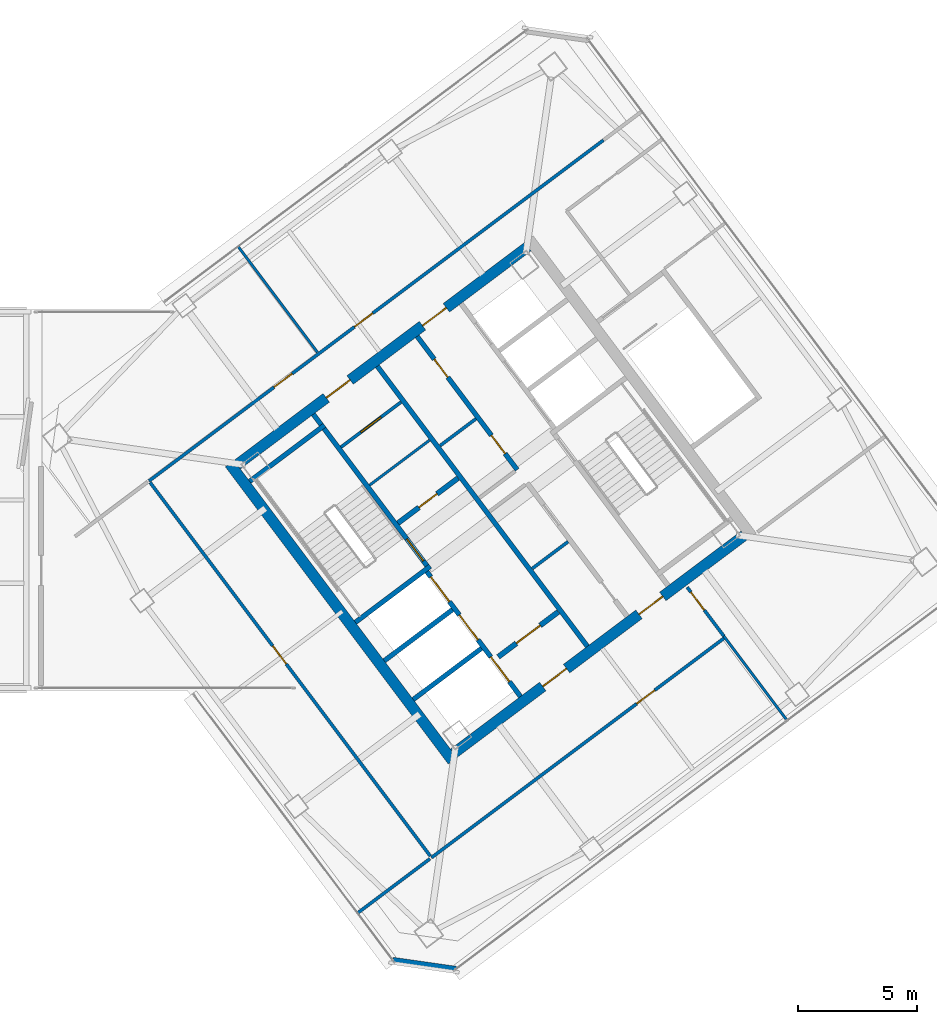
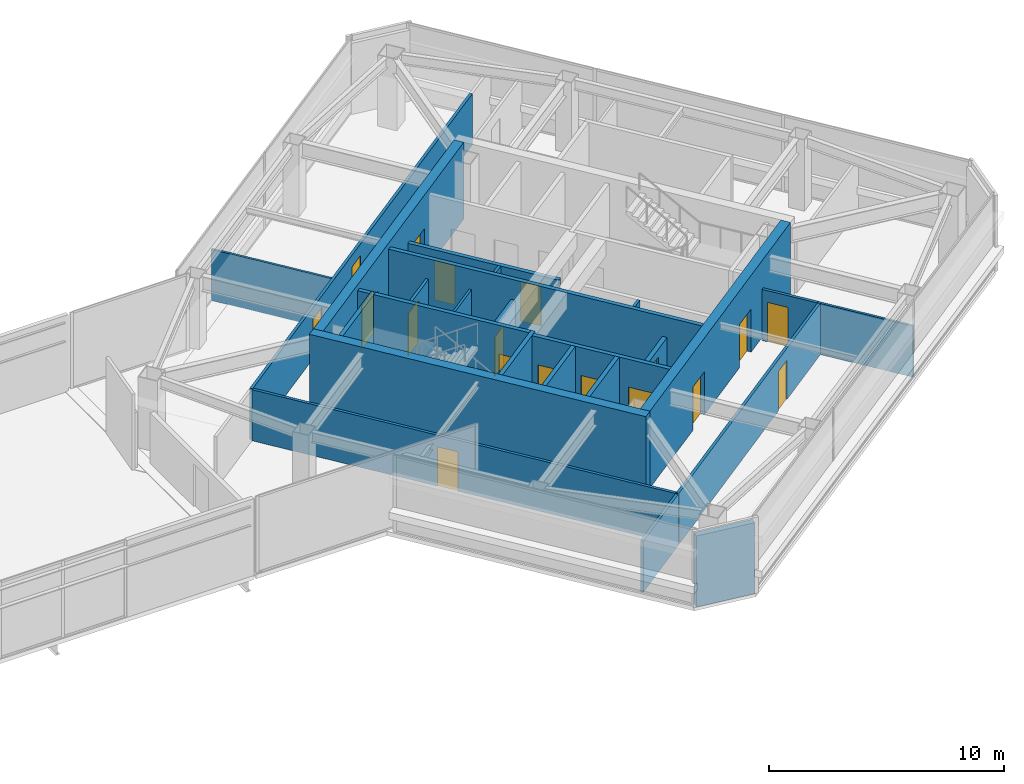
# One storey, part 43 of 51: 25 walls, 18 doors, 18 openings.
"""IFC4 building model written with IfcOpenShell, lengths in metres."""

from ifc_helpers import new_model, si_unit, direction, frame, frame_2d, origin, place, context, subcontext, project, spatial, rectangle, extrude, material, layer, layer_set, type_object, element, fill, save


model = new_model("IFC4")

# Units and contexts
model_context = context("Model", 3, precision=1e-05, world=origin(), true_north=direction((0.0, 1.0)))
body_context = subcontext(model_context, "Body", "Model", "MODEL_VIEW")
ifc_project = project(units=[si_unit("LENGTHUNIT", "METRE"), si_unit("AREAUNIT", "SQUARE_METRE"), si_unit("VOLUMEUNIT", "CUBIC_METRE"), si_unit("PLANEANGLEUNIT", "RADIAN"), si_unit("MASSUNIT", "GRAM", prefix="KILO")], contexts=[model_context])

# Site, building, storey
site_placement = place(None, origin())
site = spatial("IfcSite", under=ifc_project, at=site_placement, CompositionType="ELEMENT")
building_placement = place(site_placement, origin())
building = spatial("IfcBuilding", under=site, at=building_placement, Name="Tashvorn Skyway Center", CompositionType="ELEMENT")
storey_placement = place(building_placement, frame((0.0, 0.0, 259.39990234375)))
storey = spatial("IfcBuildingStorey", under=building, at=storey_placement, Name="L70", CompositionType="ELEMENT", Elevation=259.39990234375)

# Wall
ifc_material_1 = material(Name="Concrete C50/60", Category="concrete")
ifc_layer_1 = layer(ifc_material_1, 0.449951171875)
ifc_layer_set_1 = layer_set([ifc_layer_1], Name="Concrete C50/60")
wall_type_1 = type_object("IfcWallType", Name="WALL-CORE-450", PredefinedType="SHEAR", material=ifc_layer_set_1)
wall_1_placement = place(storey_placement, frame((112.39599609375, 21.047119140625, 0.0), z_axis=(0.0, 0.0, 1.0), x_axis=(-0.600005007985, 0.799996243986, 0.0)))
element("IfcWall", 1, at=wall_1_placement, inside=storey, type_object=wall_type_1, Name="Tower 2 L70 West Core Shear Wall", PredefinedType="SHEAR", context=body_context, shape_type="SweptSolid", body=[
    extrude(rectangle(XDim=15.60009765625, YDim=0.449951171875, at=frame_2d((7.800048828125, 0.0))), origin(), (0.0, 0.0, 1.0), 4.0),
])

# Wall, openings, doors
wall_2_placement = place(storey_placement, frame((124.64892578125, 30.51806640625, 0.0), z_axis=(0.0, 0.0, 1.0), x_axis=(-0.8, -0.6, 0.0)))
wall_2 = element("IfcWall", 2, at=wall_2_placement, inside=storey, type_object=wall_type_1, Name="Tower 2 L70 South Core Shear Wall", PredefinedType="SHEAR", context=body_context, shape_type="SweptSolid", body=[
    extrude(rectangle(XDim=15.260009765625, YDim=0.449951171875, at=frame_2d((7.6298828125, 0.0))), origin(), (0.0, 0.0, 1.0), 4.0),
])
opening_1_placement = place(wall_2_placement, frame((9.330078125, 0.0, 0.0)))
opening_1 = element("IfcOpeningElement", 3, at=opening_1_placement, cuts=wall_2, Name="Opening D-FFL-1250", PredefinedType="OPENING", context=body_context, shape_type="SweptSolid", body=[
    extrude(rectangle(XDim=1.25, YDim=2.25, at=frame_2d((0.625, 1.125))), frame((0.0, 0.23486328125, 0.0), z_axis=(0.0, -1.0, 0.0), x_axis=(1.0, 0.0, 0.0)), (0.0, 0.0, 1.0), 0.469970703125),
])
opening_2_placement = place(wall_2_placement, frame((4.280029296875, 0.0, 0.0)))
opening_2 = element("IfcOpeningElement", 4, at=opening_2_placement, cuts=wall_2, Name="Opening D-FFL-1250", PredefinedType="OPENING", context=body_context, shape_type="SweptSolid", body=[
    extrude(rectangle(XDim=1.25, YDim=2.25, at=frame_2d((0.625, 1.125))), frame((0.0, 0.23486328125, 0.0), z_axis=(0.0, -1.0, 0.0), x_axis=(1.0, 0.0, 0.0)), (0.0, 0.0, 1.0), 0.469970703125),
])
ifc_material_2 = material(Name="Hollow galvanized steel fire door assembly", Category="steel")
door_type_1 = type_object("IfcDoorType", Name="DOOR-FFL-1250", OperationType="NOTDEFINED", PredefinedType="DOOR", material=ifc_material_2)
door_1_placement = place(opening_1_placement, origin())
door_1 = element("IfcDoor", 5, at=door_1_placement, inside=storey, type_object=door_type_1, Name="Tower 2 L70 Core South Firefighting Exit Door", OperationType="SINGLE_SWING_LEFT", OverallHeight=2.25, OverallWidth=1.25, PredefinedType="DOOR", context=body_context, shape_type="SweptSolid", body=[
    extrude(rectangle(XDim=1.25, YDim=2.25, at=frame_2d((0.625, 1.125))), frame((0.0, 0.02490234375, 0.0), z_axis=(0.0, -1.0, 0.0), x_axis=(1.0, 0.0, 0.0)), (0.0, 0.0, 1.0), 0.050048828125),
])
fill(opening_1, door_1)
door_2_placement = place(opening_2_placement, origin())
door_2 = element("IfcDoor", 6, at=door_2_placement, inside=storey, type_object=door_type_1, Name="Tower 2 L70 Core South Lift Lobby Door", OperationType="SINGLE_SWING_RIGHT", OverallHeight=2.25, OverallWidth=1.25, PredefinedType="DOOR", context=body_context, shape_type="SweptSolid", body=[
    extrude(rectangle(XDim=1.25, YDim=2.25, at=frame_2d((0.625, 1.125))), frame((0.0, 0.02490234375, 0.0), z_axis=(0.0, -1.0, 0.0), x_axis=(1.0, 0.0, 0.0)), (0.0, 0.0, 1.0), 0.050048828125),
])
fill(opening_2, door_2)

wall_3_placement = place(storey_placement, frame((103.35107421875, 33.48193359375, 0.0), z_axis=(0.0, 0.0, 1.0), x_axis=(0.8, 0.6, 0.0)))
wall_3 = element("IfcWall", 7, at=wall_3_placement, inside=storey, type_object=wall_type_1, Name="Tower 2 L70 North Core Shear Wall", PredefinedType="SHEAR", context=body_context, shape_type="SweptSolid", body=[
    extrude(rectangle(XDim=15.260009765625, YDim=0.449951171875, at=frame_2d((7.6298828125, 0.0))), origin(), (0.0, 0.0, 1.0), 4.0),
])
opening_3_placement = place(wall_3_placement, frame((4.679931640625, 0.0, 0.0)))
opening_3 = element("IfcOpeningElement", 8, at=opening_3_placement, cuts=wall_3, Name="Opening D-FFL-1250", PredefinedType="OPENING", context=body_context, shape_type="SweptSolid", body=[
    extrude(rectangle(XDim=1.25, YDim=2.25, at=frame_2d((0.625, 1.125))), frame((0.0, 0.23486328125, 0.0), z_axis=(0.0, -1.0, 0.0), x_axis=(1.0, 0.0, 0.0)), (0.0, 0.0, 1.0), 0.469970703125),
])
opening_4_placement = place(wall_3_placement, frame((9.72998046875, 0.0, 0.0)))
opening_4 = element("IfcOpeningElement", 9, at=opening_4_placement, cuts=wall_3, Name="Opening D-FFL-1250", PredefinedType="OPENING", context=body_context, shape_type="SweptSolid", body=[
    extrude(rectangle(XDim=1.25, YDim=2.25, at=frame_2d((0.625, 1.125))), frame((0.0, 0.23486328125, 0.0), z_axis=(0.0, -1.0, 0.0), x_axis=(1.0, 0.0, 0.0)), (0.0, 0.0, 1.0), 0.469970703125),
])
door_3_placement = place(opening_3_placement, origin())
door_3 = element("IfcDoor", 10, at=door_3_placement, inside=storey, type_object=door_type_1, Name="Tower 2 L70 Core North Service Lobby Door", OperationType="SINGLE_SWING_LEFT", OverallHeight=2.25, OverallWidth=1.25, PredefinedType="DOOR", context=body_context, shape_type="SweptSolid", body=[
    extrude(rectangle(XDim=1.25, YDim=2.25, at=frame_2d((0.625, 1.125))), frame((0.0, 0.02490234375, 0.0), z_axis=(0.0, -1.0, 0.0), x_axis=(1.0, 0.0, 0.0)), (0.0, 0.0, 1.0), 0.050048828125),
])
fill(opening_3, door_3)
door_4_placement = place(opening_4_placement, origin())
door_4 = element("IfcDoor", 11, at=door_4_placement, inside=storey, type_object=door_type_1, Name="Tower 2 L70 Core North Lift Lobby Door", OperationType="SINGLE_SWING_RIGHT", OverallHeight=2.25, OverallWidth=1.25, PredefinedType="DOOR", context=body_context, shape_type="SweptSolid", body=[
    extrude(rectangle(XDim=1.25, YDim=2.25, at=frame_2d((0.625, 1.125))), frame((0.0, 0.02490234375, 0.0), z_axis=(0.0, -1.0, 0.0), x_axis=(1.0, 0.0, 0.0)), (0.0, 0.0, 1.0), 0.050048828125),
])
fill(opening_4, door_4)

# Wall
ifc_material_3 = material(Name="Precast concrete C40/50", Category="concrete")
ifc_layer_2 = layer(ifc_material_3, 0.280029296875)
ifc_layer_set_2 = layer_set([ifc_layer_2], Name="Precast concrete C40/50")
wall_type_2 = type_object("IfcWallType", Name="WALL-EXT-280", PredefinedType="SOLIDWALL", material=ifc_layer_set_2)
wall_4_placement = place(storey_placement, frame((112.5400390625, 12.280029296875, 0.0), z_axis=(0.0, 0.0, 1.0), x_axis=(-0.989956760759, 0.141370477216, 0.0)))
element("IfcWall", 12, at=wall_4_placement, inside=storey, type_object=wall_type_2, Name="Tower 2 L70 SW Precast Chamfer Wall", PredefinedType="SOLIDWALL", context=body_context, shape_type="SweptSolid", body=[
    extrude(rectangle(XDim=2.687255859375, YDim=0.280029296875, at=frame_2d((1.34375, 0.0))), origin(), (0.0, 0.0, 1.0), 3.7001953125),
])

# Wall, opening, door
ifc_material_4 = material(Name="Concrete C40/50", Category="concrete")
ifc_layer_3 = layer(ifc_material_4, 0.219970703125)
ifc_layer_set_3 = layer_set([ifc_layer_3], Name="Concrete C40/50")
wall_type_3 = type_object("IfcWallType", Name="WALL-FFL-220", PredefinedType="SOLIDWALL", material=ifc_layer_set_3)
wall_5_placement = place(storey_placement, frame((110.10400390625, 31.028076171875, 0.0), z_axis=(0.0, 0.0, 1.0), x_axis=(0.800018601094, 0.59997519774, 0.0)))
wall_5 = element("IfcWall", 13, at=wall_5_placement, inside=storey, type_object=wall_type_3, Name="Tower 2 L70 Firefighting Lobby North Wall", PredefinedType="SOLIDWALL", context=body_context, shape_type="SweptSolid", body=[
    extrude(rectangle(XDim=3.14990234375, YDim=0.219970703125, at=frame_2d((1.574951171875, 0.0))), origin(), (0.0, 0.0, 1.0), 2.6591796875),
])
opening_5_placement = place(wall_5_placement, frame((1.10009765625, 0.0, 0.0)))
opening_5 = element("IfcOpeningElement", 14, at=opening_5_placement, cuts=wall_5, Name="Opening D-RT-950", PredefinedType="OPENING", context=body_context, shape_type="SweptSolid", body=[
    extrude(rectangle(XDim=0.949951171875, YDim=2.050048828125, at=frame_2d((0.47509765625, 1.02490234375))), frame((0.0, 0.119873046875, 0.0), z_axis=(0.0, -1.0, 0.0), x_axis=(1.0, 0.0, 0.0)), (0.0, 0.0, 1.0), 0.239990234375),
])
door_type_2 = type_object("IfcDoorType", Name="DOOR-RATED-950", OperationType="NOTDEFINED", PredefinedType="DOOR", material=ifc_material_2)
door_5_placement = place(opening_5_placement, origin())
door_5 = element("IfcDoor", 15, at=door_5_placement, inside=storey, type_object=door_type_2, Name="Tower 2 L70 Core Linen Store Door", OperationType="SINGLE_SWING_LEFT", OverallHeight=2.050048828125, OverallWidth=0.949951171875, PredefinedType="DOOR", context=body_context, shape_type="SweptSolid", body=[
    extrude(rectangle(XDim=0.949951171875, YDim=2.050048828125, at=frame_2d((0.47509765625, 1.02490234375))), frame((0.0, 0.02490234375, 0.0), z_axis=(0.0, -1.0, 0.0), x_axis=(1.0, 0.0, 0.0)), (0.0, 0.0, 1.0), 0.050048828125),
])
fill(opening_5, door_5)

wall_6_placement = place(storey_placement, frame((114.31591796875, 25.412109375, 0.0), z_axis=(0.0, 0.0, 1.0), x_axis=(0.800018601094, 0.59997519774, 0.0)))
wall_6 = element("IfcWall", 16, at=wall_6_placement, inside=storey, type_object=wall_type_3, Name="Tower 2 L70 Firefighting Lobby South Wall", PredefinedType="SOLIDWALL", context=body_context, shape_type="SweptSolid", body=[
    extrude(rectangle(XDim=3.14990234375, YDim=0.219970703125, at=frame_2d((1.574951171875, 0.0))), origin(), (0.0, 0.0, 1.0), 2.6591796875),
])
opening_6_placement = place(wall_6_placement, frame((0.949951171875, 0.0, 0.0)))
opening_6 = element("IfcOpeningElement", 17, at=opening_6_placement, cuts=wall_6, Name="Opening D-FFL-1250", PredefinedType="OPENING", context=body_context, shape_type="SweptSolid", body=[
    extrude(rectangle(XDim=1.25, YDim=2.25, at=frame_2d((0.625, 1.125))), frame((0.0, 0.119873046875, 0.0), z_axis=(0.0, -1.0, 0.0), x_axis=(1.0, 0.0, 0.0)), (0.0, 0.0, 1.0), 0.239990234375),
])
door_6_placement = place(opening_6_placement, origin())
door_6 = element("IfcDoor", 18, at=door_6_placement, inside=storey, type_object=door_type_1, Name="Tower 2 L70 Firefighting Lobby Egress Door", OperationType="SINGLE_SWING_LEFT", OverallHeight=2.25, OverallWidth=1.25, PredefinedType="DOOR", context=body_context, shape_type="SweptSolid", body=[
    extrude(rectangle(XDim=1.25, YDim=2.25, at=frame_2d((0.625, 1.125))), frame((0.0, 0.02490234375, 0.0), z_axis=(0.0, -1.0, 0.0), x_axis=(1.0, 0.0, 0.0)), (0.0, 0.0, 1.0), 0.050048828125),
])
fill(opening_6, door_6)

# Walls
ifc_material_5 = material(Name="Gypsum board on cold-formed steel stud framing", Category="steel")
ifc_layer_4 = layer(ifc_material_5, 0.110107421875)
ifc_layer_set_4 = layer_set([ifc_layer_4], Name="Gypsum board on cold-formed steel stud framing")
wall_type_4 = type_object("IfcWallType", Name="WALL-PART-110", PredefinedType="PARTITIONING", material=ifc_layer_set_4)
wall_7_placement = place(storey_placement, frame((106.721923828125, 38.2041015625, 0.0), z_axis=(0.0, 0.0, 1.0), x_axis=(-0.599985922959, 0.800010557587, 0.0)))
element("IfcWall", 19, at=wall_7_placement, inside=storey, type_object=wall_type_4, Name="Tower 2 L70 North Suite Partition 1", PredefinedType="PARTITIONING", context=body_context, shape_type="SweptSolid", body=[
    extrude(rectangle(XDim=5.5498046875, YDim=0.110107421875, at=frame_2d((2.77490234375, 0.0))), origin(), (0.0, 0.0, 1.0), 2.6591796875),
])
wall_8_placement = place(storey_placement, frame((126.447998046875, 22.736083984375, 0.0), z_axis=(0.0, 0.0, 1.0), x_axis=(-0.600008797747, 0.799993401614, 0.0)))
element("IfcWall", 20, at=wall_8_placement, inside=storey, type_object=wall_type_4, Name="Tower 2 L70 South-East Suite Wall", PredefinedType="PARTITIONING", context=body_context, shape_type="SweptSolid", body=[
    extrude(rectangle(XDim=4.43994140625, YDim=0.110107421875, at=frame_2d((2.219970703125, 0.0))), origin(), (0.0, 0.0, 1.0), 2.6591796875),
])

# Wall, openings, doors
ifc_layer_5 = layer(ifc_material_5, 0.135009765625)
ifc_layer_set_5 = layer_set([ifc_layer_5], Name="Gypsum board on cold-formed steel stud framing")
wall_type_5 = type_object("IfcWallType", Name="WALL-PART-135", PredefinedType="PARTITIONING", material=ifc_layer_set_5)
wall_9_placement = place(storey_placement, frame((99.64990234375, 32.800048828125, 0.0), z_axis=(0.0, 0.0, 1.0), x_axis=(0.8, 0.6, 0.0)))
wall_9 = element("IfcWall", 21, at=wall_9_placement, inside=storey, type_object=wall_type_5, Name="Tower 2 L70 North Suite Wall", PredefinedType="PARTITIONING", context=body_context, shape_type="SweptSolid", body=[
    extrude(rectangle(XDim=23.85009765625, YDim=0.135009765625, at=frame_2d((11.925048828125, 0.0))), origin(), (0.0, 0.0, 1.0), 2.6591796875),
])
opening_7_placement = place(wall_9_placement, frame((6.567138671875, 0.0, 0.0)))
opening_7 = element("IfcOpeningElement", 22, at=opening_7_placement, cuts=wall_9, Name="Opening D-INT-950", PredefinedType="OPENING", context=body_context, shape_type="SweptSolid", body=[
    extrude(rectangle(XDim=0.949951171875, YDim=2.050048828125, at=frame_2d((0.47509765625, 1.02490234375))), frame((0.0, 0.077392578125, 0.0), z_axis=(0.0, -1.0, 0.0), x_axis=(1.0, 0.0, 0.0)), (0.0, 0.0, 1.0), 0.155029296875),
])
opening_8_placement = place(wall_9_placement, frame((10.787841796875, 0.0, 0.0)))
opening_8 = element("IfcOpeningElement", 23, at=opening_8_placement, cuts=wall_9, Name="Opening D-INT-950", PredefinedType="OPENING", context=body_context, shape_type="SweptSolid", body=[
    extrude(rectangle(XDim=0.949951171875, YDim=2.050048828125, at=frame_2d((0.47509765625, 1.02490234375))), frame((0.0, 0.077392578125, 0.0), z_axis=(0.0, -1.0, 0.0), x_axis=(1.0, 0.0, 0.0)), (0.0, 0.0, 1.0), 0.155029296875),
])
ifc_material_6 = material(Name="Solid-core architectural oak veneer door")
door_type_3 = type_object("IfcDoorType", Name="DOOR-INT-950", OperationType="NOTDEFINED", PredefinedType="DOOR", material=ifc_material_6)
door_7_placement = place(opening_7_placement, origin())
door_7 = element("IfcDoor", 24, at=door_7_placement, inside=storey, type_object=door_type_3, Name="Tower 2 L70 Conference Room Door", OperationType="SINGLE_SWING_RIGHT", OverallHeight=2.050048828125, OverallWidth=0.949951171875, PredefinedType="DOOR", context=body_context, shape_type="SweptSolid", body=[
    extrude(rectangle(XDim=0.949951171875, YDim=2.050048828125, at=frame_2d((0.47509765625, 1.02490234375))), frame((0.0, 0.02490234375, 0.0), z_axis=(0.0, -1.0, 0.0), x_axis=(1.0, 0.0, 0.0)), (0.0, 0.0, 1.0), 0.050048828125),
])
fill(opening_7, door_7)
door_8_placement = place(opening_8_placement, origin())
door_8 = element("IfcDoor", 25, at=door_8_placement, inside=storey, type_object=door_type_3, Name="Tower 2 L70 Conference Room Door", OperationType="SINGLE_SWING_LEFT", OverallHeight=2.050048828125, OverallWidth=0.949951171875, PredefinedType="DOOR", context=body_context, shape_type="SweptSolid", body=[
    extrude(rectangle(XDim=0.949951171875, YDim=2.050048828125, at=frame_2d((0.47509765625, 1.02490234375))), frame((0.0, 0.02490234375, 0.0), z_axis=(0.0, -1.0, 0.0), x_axis=(1.0, 0.0, 0.0)), (0.0, 0.0, 1.0), 0.050048828125),
])
fill(opening_8, door_8)

# Wall, opening, door
wall_10_placement = place(storey_placement, frame((123.83203125, 26.22412109375, 0.0), z_axis=(0.0, 0.0, 1.0), x_axis=(-0.799994292853, -0.600007609454, 0.0)))
wall_10 = element("IfcWall", 26, at=wall_10_placement, inside=storey, type_object=wall_type_5, Name="Tower 2 L70 South Suite Wall", PredefinedType="PARTITIONING", context=body_context, shape_type="SweptSolid", body=[
    extrude(rectangle(XDim=15.400146484375, YDim=0.135009765625, at=frame_2d((7.7001953125, 0.0))), origin(), (0.0, 0.0, 1.0), 2.6591796875),
])
opening_9_placement = place(wall_10_placement, frame((3.67578125, 0.0, 0.0)))
opening_9 = element("IfcOpeningElement", 27, at=opening_9_placement, cuts=wall_10, Name="Opening D-INT-950", PredefinedType="OPENING", context=body_context, shape_type="SweptSolid", body=[
    extrude(rectangle(XDim=0.949951171875, YDim=2.050048828125, at=frame_2d((0.47509765625, 1.02490234375))), frame((0.0, 0.077392578125, 0.0), z_axis=(0.0, -1.0, 0.0), x_axis=(1.0, 0.0, 0.0)), (0.0, 0.0, 1.0), 0.155029296875),
])
door_9_placement = place(opening_9_placement, origin())
door_9 = element("IfcDoor", 28, at=door_9_placement, inside=storey, type_object=door_type_3, Name="Tower 2 L70 Conference Room Door", OperationType="SINGLE_SWING_RIGHT", OverallHeight=2.050048828125, OverallWidth=0.949951171875, PredefinedType="DOOR", context=body_context, shape_type="SweptSolid", body=[
    extrude(rectangle(XDim=0.949951171875, YDim=2.050048828125, at=frame_2d((0.47509765625, 1.02490234375))), frame((0.0, 0.02490234375, 0.0), z_axis=(0.0, -1.0, 0.0), x_axis=(1.0, 0.0, 0.0)), (0.0, 0.0, 1.0), 0.050048828125),
])
fill(opening_9, door_9)

wall_11_placement = place(storey_placement, frame((122.248046875, 28.3359375, 0.0), z_axis=(0.0, 0.0, 1.0), x_axis=(0.6, -0.8, 0.0)))
wall_11 = element("IfcWall", 29, at=wall_11_placement, inside=storey, type_object=wall_type_5, Name="Tower 2 L70 South Gallery End Wall", PredefinedType="PARTITIONING", context=body_context, shape_type="SweptSolid", body=[
    extrude(rectangle(XDim=2.559814453125, YDim=0.135009765625, at=frame_2d((1.27978515625, 0.0))), origin(), (0.0, 0.0, 1.0), 2.6591796875),
])
opening_10_placement = place(wall_11_placement, frame((0.25, 0.0, 0.0)))
opening_10 = element("IfcOpeningElement", 30, at=opening_10_placement, cuts=wall_11, Name="Opening D-INT-950", PredefinedType="OPENING", context=body_context, shape_type="SweptSolid", body=[
    extrude(rectangle(XDim=0.949951171875, YDim=2.050048828125, at=frame_2d((0.47509765625, 1.02490234375))), frame((0.0, 0.077392578125, 0.0), z_axis=(0.0, -1.0, 0.0), x_axis=(1.0, 0.0, 0.0)), (0.0, 0.0, 1.0), 0.155029296875),
])
door_10_placement = place(opening_10_placement, origin())
door_10 = element("IfcDoor", 31, at=door_10_placement, inside=storey, type_object=door_type_3, Name="Tower 2 L70 Gallery Showroom Door", OperationType="SINGLE_SWING_LEFT", OverallHeight=2.050048828125, OverallWidth=0.949951171875, PredefinedType="DOOR", context=body_context, shape_type="SweptSolid", body=[
    extrude(rectangle(XDim=0.949951171875, YDim=2.050048828125, at=frame_2d((0.47509765625, 1.02490234375))), frame((0.0, 0.02490234375, 0.0), z_axis=(0.0, -1.0, 0.0), x_axis=(1.0, 0.0, 0.0)), (0.0, 0.0, 1.0), 0.050048828125),
])
fill(opening_10, door_10)

wall_12_placement = place(storey_placement, frame((111.464111328125, 17.048095703125, 0.0), z_axis=(0.0, 0.0, 1.0), x_axis=(-0.600003983917, 0.799997012046, 0.0)))
wall_12 = element("IfcWall", 32, at=wall_12_placement, inside=storey, type_object=wall_type_5, Name="Tower 2 L70 West Inner Suite Wall", PredefinedType="PARTITIONING", context=body_context, shape_type="SweptSolid", body=[
    extrude(rectangle(XDim=19.610107421875, YDim=0.135009765625, at=frame_2d((9.80517578125, 0.0))), origin(), (0.0, 0.0, 1.0), 2.6591796875),
])
opening_11_placement = place(wall_12_placement, frame((10.08251953125, 0.0, 0.0)))
opening_11 = element("IfcOpeningElement", 33, at=opening_11_placement, cuts=wall_12, Name="Opening D-INT-950", PredefinedType="OPENING", context=body_context, shape_type="SweptSolid", body=[
    extrude(rectangle(XDim=0.949951171875, YDim=2.050048828125, at=frame_2d((0.47509765625, 1.02490234375))), frame((0.0, 0.077392578125, 0.0), z_axis=(0.0, -1.0, 0.0), x_axis=(1.0, 0.0, 0.0)), (0.0, 0.0, 1.0), 0.155029296875),
])
door_11_placement = place(opening_11_placement, origin())
door_11 = element("IfcDoor", 34, at=door_11_placement, inside=storey, type_object=door_type_3, Name="Tower 2 L70 Breakout Lounge Door", OperationType="SINGLE_SWING_RIGHT", OverallHeight=2.050048828125, OverallWidth=0.949951171875, PredefinedType="DOOR", context=body_context, shape_type="SweptSolid", body=[
    extrude(rectangle(XDim=0.949951171875, YDim=2.050048828125, at=frame_2d((0.47509765625, 1.02490234375))), frame((0.0, 0.02490234375, 0.0), z_axis=(0.0, -1.0, 0.0), x_axis=(1.0, 0.0, 0.0)), (0.0, 0.0, 1.0), 0.050048828125),
])
fill(opening_11, door_11)

# Walls
wall_13_placement = place(storey_placement, frame((108.407958984375, 14.656005859375, 0.0), z_axis=(0.0, 0.0, 1.0), x_axis=(0.8, 0.6, 0.0)))
element("IfcWall", 35, at=wall_13_placement, inside=storey, type_object=wall_type_5, Name="Tower 2 L70 West Suite South Wall", PredefinedType="PARTITIONING", context=body_context, shape_type="SweptSolid", body=[
    extrude(rectangle(XDim=3.800048828125, YDim=0.135009765625, at=frame_2d((1.89990234375, 0.0))), origin(), (0.0, 0.0, 1.0), 2.6591796875),
])
ifc_layer_6 = layer(ifc_material_5, 0.110107421875)
ifc_layer_set_6 = layer_set([ifc_layer_6], Name="Gypsum board on cold-formed steel stud framing")
wall_type_6 = type_object("IfcWallType", Name="WALL-RATED-110", PredefinedType="PARTITIONING", material=ifc_layer_set_6)
wall_14_placement = place(storey_placement, frame((108.909912109375, 32.6201171875, 0.0), z_axis=(0.0, 0.0, 1.0), x_axis=(0.800018601094, 0.59997519774, 0.0)))
element("IfcWall", 36, at=wall_14_placement, inside=storey, type_object=wall_type_6, Name="Tower 2 L70 Core Transverse Wall", PredefinedType="PARTITIONING", context=body_context, shape_type="SweptSolid", body=[
    extrude(rectangle(XDim=3.14990234375, YDim=0.110107421875, at=frame_2d((1.574951171875, 0.0))), origin(), (0.0, 0.0, 1.0), 2.6591796875),
])

# Wall, opening, door
ifc_layer_7 = layer(ifc_material_5, 0.135009765625)
ifc_layer_set_7 = layer_set([ifc_layer_7], Name="Gypsum board on cold-formed steel stud framing")
wall_type_7 = type_object("IfcWallType", Name="WALL-RATED-135", PredefinedType="PARTITIONING", material=ifc_layer_set_7)
wall_15_placement = place(storey_placement, frame((107.7099609375, 34.219970703125, 0.0), z_axis=(0.0, 0.0, 1.0), x_axis=(0.799981399002, 0.60002480053, 0.0)))
wall_15 = element("IfcWall", 37, at=wall_15_placement, inside=storey, type_object=wall_type_7, Name="Tower 2 L70 Core Service Lobby Wall", PredefinedType="PARTITIONING", context=body_context, shape_type="SweptSolid", body=[
    extrude(rectangle(XDim=3.150146484375, YDim=0.135009765625, at=frame_2d((1.5751953125, 0.0))), origin(), (0.0, 0.0, 1.0), 2.6591796875),
])
opening_12_placement = place(wall_15_placement, frame((1.050048828125, 0.0, 0.0)))
opening_12 = element("IfcOpeningElement", 38, at=opening_12_placement, cuts=wall_15, Name="Opening D-RT-1050", PredefinedType="OPENING", context=body_context, shape_type="SweptSolid", body=[
    extrude(rectangle(XDim=1.050048828125, YDim=2.199951171875, at=frame_2d((0.52490234375, 1.10009765625))), frame((0.0, 0.077392578125, 0.0), z_axis=(0.0, -1.0, 0.0), x_axis=(1.0, 0.0, 0.0)), (0.0, 0.0, 1.0), 0.155029296875),
])
door_type_4 = type_object("IfcDoorType", Name="DOOR-RATED-1050", OperationType="NOTDEFINED", PredefinedType="DOOR", material=ifc_material_2)
door_12_placement = place(opening_12_placement, origin())
door_12 = element("IfcDoor", 39, at=door_12_placement, inside=storey, type_object=door_type_4, Name="Tower 2 L70 Core Accessible WC Door", OperationType="SINGLE_SWING_RIGHT", OverallHeight=2.199951171875, OverallWidth=1.050048828125, PredefinedType="DOOR", context=body_context, shape_type="SweptSolid", body=[
    extrude(rectangle(XDim=1.050048828125, YDim=2.199951171875, at=frame_2d((0.52490234375, 1.10009765625))), frame((0.0, 0.02490234375, 0.0), z_axis=(0.0, -1.0, 0.0), x_axis=(1.0, 0.0, 0.0)), (0.0, 0.0, 1.0), 0.050048828125),
])
fill(opening_12, door_12)

# Walls
for number, where, z_axis, x_axis, name in (
    (40, (115.74609375, 29.1220703125, 0.0), (0.0, 0.0, 1.0), (0.8, 0.6, 0.0), "Tower 2 L70 Freed Core Partition"),
    (41, (111.8759765625, 34.281982421875, 0.0), (0.0, 0.0, 1.0), (0.8, 0.6, 0.0), "Tower 2 L70 Freed Mid-Rise Partition"),
):
    element("IfcWall", number, at=place(storey_placement, frame(where, z_axis=z_axis, x_axis=x_axis)), inside=storey, type_object=wall_type_7, Name=name, PredefinedType="PARTITIONING", context=body_context, shape_type="SweptSolid", body=[
        extrude(rectangle(XDim=1.8798828125, YDim=0.135009765625, at=frame_2d((0.93994140625, 0.0))), origin(), (0.0, 0.0, 1.0), 2.6591796875),
    ])
ifc_layer_8 = layer(ifc_material_4, 0.199951171875)
ifc_layer_set_8 = layer_set([ifc_layer_8], Name="Concrete C40/50")
wall_type_8 = type_object("IfcWallType", Name="WALL-SHAFT-200", PredefinedType="SOLIDWALL", material=ifc_layer_set_8)
for number, where, z_axis, x_axis, name in (
    (42, (110.74609375, 23.6220703125, 0.0), (0.0, 0.0, 1.0), (0.800008183455, 0.599989088572, 0.0), "Tower 2 L70 FSAE Shaft Divider"),
    (43, (109.528076171875, 25.24609375, 0.0), (0.0, 0.0, 1.0), (0.800008183455, 0.599989088572, 0.0), "Tower 2 L70 FSAE Shaft Divider"),
):
    element("IfcWall", number, at=place(storey_placement, frame(where, z_axis=z_axis, x_axis=x_axis)), inside=storey, type_object=wall_type_8, Name=name, PredefinedType="SOLIDWALL", context=body_context, shape_type="SweptSolid", body=[
        extrude(rectangle(XDim=3.580078125, YDim=0.199951171875, at=frame_2d((1.7900390625, 0.0))), origin(), (0.0, 0.0, 1.0), 3.7001953125),
    ])

# Wall, openings, doors
wall_16_placement = place(storey_placement, frame((115.110107421875, 33.27001953125, 0.0), z_axis=(0.0, 0.0, 1.0), x_axis=(-0.600011160345, 0.79999162962, 0.0)))
wall_16 = element("IfcWall", 44, at=wall_16_placement, inside=storey, type_object=wall_type_8, Name="Tower 2 L70 Mid-Rise Core Wall", PredefinedType="SOLIDWALL", context=body_context, shape_type="SweptSolid", body=[
    extrude(rectangle(XDim=7.000244140625, YDim=0.199951171875, at=frame_2d((3.5, 0.0))), origin(), (0.0, 0.0, 1.0), 2.6591796875),
])
opening_13_placement = place(wall_16_placement, frame((0.85009765625, 0.0, 0.0)))
opening_13 = element("IfcOpeningElement", 45, at=opening_13_placement, cuts=wall_16, Name="Opening D-RT-950", PredefinedType="OPENING", context=body_context, shape_type="SweptSolid", body=[
    extrude(rectangle(XDim=0.949951171875, YDim=2.050048828125, at=frame_2d((0.47509765625, 1.02490234375))), frame((0.0, 0.10986328125, 0.0), z_axis=(0.0, -1.0, 0.0), x_axis=(1.0, 0.0, 0.0)), (0.0, 0.0, 1.0), 0.219970703125),
])
opening_14_placement = place(wall_16_placement, frame((4.85009765625, 0.0, 0.0)))
opening_14 = element("IfcOpeningElement", 46, at=opening_14_placement, cuts=wall_16, Name="Opening D-RT-950", PredefinedType="OPENING", context=body_context, shape_type="SweptSolid", body=[
    extrude(rectangle(XDim=0.949951171875, YDim=2.050048828125, at=frame_2d((0.47509765625, 1.02490234375))), frame((0.0, 0.10986328125, 0.0), z_axis=(0.0, -1.0, 0.0), x_axis=(1.0, 0.0, 0.0)), (0.0, 0.0, 1.0), 0.219970703125),
])
door_13_placement = place(opening_13_placement, origin())
door_13 = element("IfcDoor", 47, at=door_13_placement, inside=storey, type_object=door_type_2, Name="Tower 2 L70 Core IT Room Door", OperationType="SINGLE_SWING_RIGHT", OverallHeight=2.050048828125, OverallWidth=0.949951171875, PredefinedType="DOOR", context=body_context, shape_type="SweptSolid", body=[
    extrude(rectangle(XDim=0.949951171875, YDim=2.050048828125, at=frame_2d((0.47509765625, 1.02490234375))), frame((0.0, 0.02490234375, 0.0), z_axis=(0.0, -1.0, 0.0), x_axis=(1.0, 0.0, 0.0)), (0.0, 0.0, 1.0), 0.050048828125),
])
fill(opening_13, door_13)
door_14_placement = place(opening_14_placement, origin())
door_14 = element("IfcDoor", 48, at=door_14_placement, inside=storey, type_object=door_type_2, Name="Tower 2 L70 Core Catering Pantry Door", OperationType="SINGLE_SWING_LEFT", OverallHeight=2.050048828125, OverallWidth=0.949951171875, PredefinedType="DOOR", context=body_context, shape_type="SweptSolid", body=[
    extrude(rectangle(XDim=0.949951171875, YDim=2.050048828125, at=frame_2d((0.47509765625, 1.02490234375))), frame((0.0, 0.02490234375, 0.0), z_axis=(0.0, -1.0, 0.0), x_axis=(1.0, 0.0, 0.0)), (0.0, 0.0, 1.0), 0.050048828125),
])
fill(opening_14, door_14)

# Wall, opening, door
ifc_layer_9 = layer(ifc_material_4, 0.199951171875)
ifc_layer_set_9 = layer_set([ifc_layer_9], Name="Concrete C40/50")
wall_type_9 = type_object("IfcWallType", Name="WALL-STSHF-200", PredefinedType="SHEAR", material=ifc_layer_set_9)
wall_17_placement = place(storey_placement, frame((111.43994140625, 29.080078125, 0.0), z_axis=(0.0, 0.0, 1.0), x_axis=(-0.59999041401, 0.800007189403, 0.0)))
wall_17 = element("IfcWall", 49, at=wall_17_placement, inside=storey, type_object=wall_type_9, Name="Tower 2 L70 Stair 1 Enclosure Wall", PredefinedType="SHEAR", context=body_context, shape_type="SweptSolid", body=[
    extrude(rectangle(XDim=8.14990234375, YDim=0.199951171875, at=frame_2d((4.074951171875, 0.0))), origin(), (0.0, 0.0, 1.0), 3.7001953125),
])
opening_15_placement = place(wall_17_placement, frame((0.449951171875, 0.0, 0.0)))
opening_15 = element("IfcOpeningElement", 50, at=opening_15_placement, cuts=wall_17, Name="Opening D-ST-1150", PredefinedType="OPENING", context=body_context, shape_type="SweptSolid", body=[
    extrude(rectangle(XDim=1.14990234375, YDim=2.199951171875, at=frame_2d((0.574951171875, 1.10009765625))), frame((0.0, 0.10986328125, 0.0), z_axis=(0.0, -1.0, 0.0), x_axis=(1.0, 0.0, 0.0)), (0.0, 0.0, 1.0), 0.219970703125),
])
door_type_5 = type_object("IfcDoorType", Name="DOOR-STAIR-1150", OperationType="NOTDEFINED", PredefinedType="DOOR", material=ifc_material_2)
door_15_placement = place(opening_15_placement, origin())
door_15 = element("IfcDoor", 51, at=door_15_placement, inside=storey, type_object=door_type_5, Name="Tower 2 L70 Exit Stair 1 Door", OperationType="SINGLE_SWING_RIGHT", OverallHeight=2.199951171875, OverallWidth=1.14990234375, PredefinedType="DOOR", context=body_context, shape_type="SweptSolid", body=[
    extrude(rectangle(XDim=1.14990234375, YDim=2.199951171875, at=frame_2d((0.574951171875, 1.10009765625))), frame((0.0, 0.02490234375, 0.0), z_axis=(0.0, -1.0, 0.0), x_axis=(1.0, 0.0, 0.0)), (0.0, 0.0, 1.0), 0.050048828125),
])
fill(opening_15, door_15)

# Walls
for number, where, z_axis, x_axis, name in (
    (52, (108.31591796875, 26.862060546875, 0.0), (0.0, 0.0, 1.0), (0.800014909178, 0.599980120581, 0.0), "Tower 2 L70 Stair 1 South Wall"),
    (53, (103.8759765625, 32.781982421875, 0.0), (0.0, 0.0, 1.0), (0.800014909178, 0.599980120581, 0.0), "Tower 2 L70 Stair 1 North Wall"),
):
    element("IfcWall", number, at=place(storey_placement, frame(where, z_axis=z_axis, x_axis=x_axis)), inside=storey, type_object=wall_type_9, Name=name, PredefinedType="SHEAR", context=body_context, shape_type="SweptSolid", body=[
        extrude(rectangle(XDim=3.929931640625, YDim=0.199951171875, at=frame_2d((1.96484375, 0.0))), origin(), (0.0, 0.0, 1.0), 3.7001953125),
    ])
wall_18_placement = place(storey_placement, frame((118.05810546875, 25.85595703125, 0.0), z_axis=(0.0, 0.0, 1.0), x_axis=(-0.600002657301, 0.799998007018, 0.0)))
element("IfcWall", 54, at=wall_18_placement, inside=storey, type_object=wall_type_9, Name="Tower 2 L70 Firefighting Lobby East Smoke Barrier", PredefinedType="SHEAR", context=body_context, shape_type="SweptSolid", body=[
    extrude(rectangle(XDim=14.699951171875, YDim=0.199951171875, at=frame_2d((7.35009765625, 0.0))), origin(), (0.0, 0.0, 1.0), 3.7001953125),
])

# Wall, openings, doors
wall_19_placement = place(storey_placement, frame((115.25, 23.75, 0.0), z_axis=(0.0, 0.0, 1.0), x_axis=(-0.599994036198, 0.800004472816, 0.0)))
wall_19 = element("IfcWall", 55, at=wall_19_placement, inside=storey, type_object=wall_type_9, Name="Tower 2 L70 FSAE and Goods Shaft Front Wall", PredefinedType="SHEAR", context=body_context, shape_type="SweptSolid", body=[
    extrude(rectangle(XDim=6.550048828125, YDim=0.199951171875, at=frame_2d((3.27490234375, 0.0))), origin(), (0.0, 0.0, 1.0), 3.7001953125),
])
opening_16_placement = place(wall_19_placement, frame((4.97509765625, 0.0, 0.0)))
opening_16 = element("IfcOpeningElement", 56, at=opening_16_placement, cuts=wall_19, Name="Opening LD-FF-T2-1-L70", PredefinedType="OPENING", context=body_context, shape_type="SweptSolid", body=[
    extrude(rectangle(XDim=1.300048828125, YDim=2.25, at=frame_2d((0.64990234375, 1.125))), frame((0.0, 0.10986328125, 0.0), z_axis=(0.0, -1.0, 0.0), x_axis=(1.0, 0.0, 0.0)), (0.0, 0.0, 1.0), 0.219970703125),
])
opening_17_placement = place(wall_19_placement, frame((2.97509765625, 0.0, 0.0)))
opening_17 = element("IfcOpeningElement", 57, at=opening_17_placement, cuts=wall_19, Name="Opening LD-FF-T2-2-L70", PredefinedType="OPENING", context=body_context, shape_type="SweptSolid", body=[
    extrude(rectangle(XDim=1.300048828125, YDim=2.25, at=frame_2d((0.64990234375, 1.125))), frame((0.0, 0.10986328125, 0.0), z_axis=(0.0, -1.0, 0.0), x_axis=(1.0, 0.0, 0.0)), (0.0, 0.0, 1.0), 0.219970703125),
])
opening_18_placement = place(wall_19_placement, frame((0.77490234375, 0.0, 0.0)))
opening_18 = element("IfcOpeningElement", 58, at=opening_18_placement, cuts=wall_19, Name="Opening LD-GD-T2-1-L70", PredefinedType="OPENING", context=body_context, shape_type="SweptSolid", body=[
    extrude(rectangle(XDim=1.300048828125, YDim=2.25, at=frame_2d((0.64990234375, 1.125))), frame((0.0, 0.10986328125, 0.0), z_axis=(0.0, -1.0, 0.0), x_axis=(1.0, 0.0, 0.0)), (0.0, 0.0, 1.0), 0.219970703125),
])
ifc_material_7 = material(Name="Stainless steel heavy-duty landing door", Category="steel")
door_type_6 = type_object("IfcDoorType", Name="DOOR-LIFT-1300", OperationType="SLIDING_TO_LEFT", PredefinedType="DOOR", material=ifc_material_7)
door_16_placement = place(opening_16_placement, origin())
door_16 = element("IfcDoor", 59, at=door_16_placement, inside=storey, type_object=door_type_6, Name="Lift FF-T2-1 L70 Landing Door", OperationType="SLIDING_TO_LEFT", OverallHeight=2.25, OverallWidth=1.300048828125, PredefinedType="DOOR", context=body_context, shape_type="SweptSolid", body=[
    extrude(rectangle(XDim=1.300048828125, YDim=2.25, at=frame_2d((0.64990234375, 1.125))), frame((0.0, 0.02490234375, 0.0), z_axis=(0.0, -1.0, 0.0), x_axis=(1.0, 0.0, 0.0)), (0.0, 0.0, 1.0), 0.050048828125),
])
fill(opening_16, door_16)
door_17_placement = place(opening_17_placement, origin())
door_17 = element("IfcDoor", 60, at=door_17_placement, inside=storey, type_object=door_type_6, Name="Lift FF-T2-2 L70 Landing Door", OperationType="SLIDING_TO_LEFT", OverallHeight=2.25, OverallWidth=1.300048828125, PredefinedType="DOOR", context=body_context, shape_type="SweptSolid", body=[
    extrude(rectangle(XDim=1.300048828125, YDim=2.25, at=frame_2d((0.64990234375, 1.125))), frame((0.0, 0.02490234375, 0.0), z_axis=(0.0, -1.0, 0.0), x_axis=(1.0, 0.0, 0.0)), (0.0, 0.0, 1.0), 0.050048828125),
])
fill(opening_17, door_17)
door_18_placement = place(opening_18_placement, origin())
door_18 = element("IfcDoor", 61, at=door_18_placement, inside=storey, type_object=door_type_6, Name="Lift GD-T2-1 L70 Landing Door", OperationType="SLIDING_TO_LEFT", OverallHeight=2.25, OverallWidth=1.300048828125, PredefinedType="DOOR", context=body_context, shape_type="SweptSolid", body=[
    extrude(rectangle(XDim=1.300048828125, YDim=2.25, at=frame_2d((0.64990234375, 1.125))), frame((0.0, 0.02490234375, 0.0), z_axis=(0.0, -1.0, 0.0), x_axis=(1.0, 0.0, 0.0)), (0.0, 0.0, 1.0), 0.050048828125),
])
fill(opening_18, door_18)

save(model, "model.ifc")
